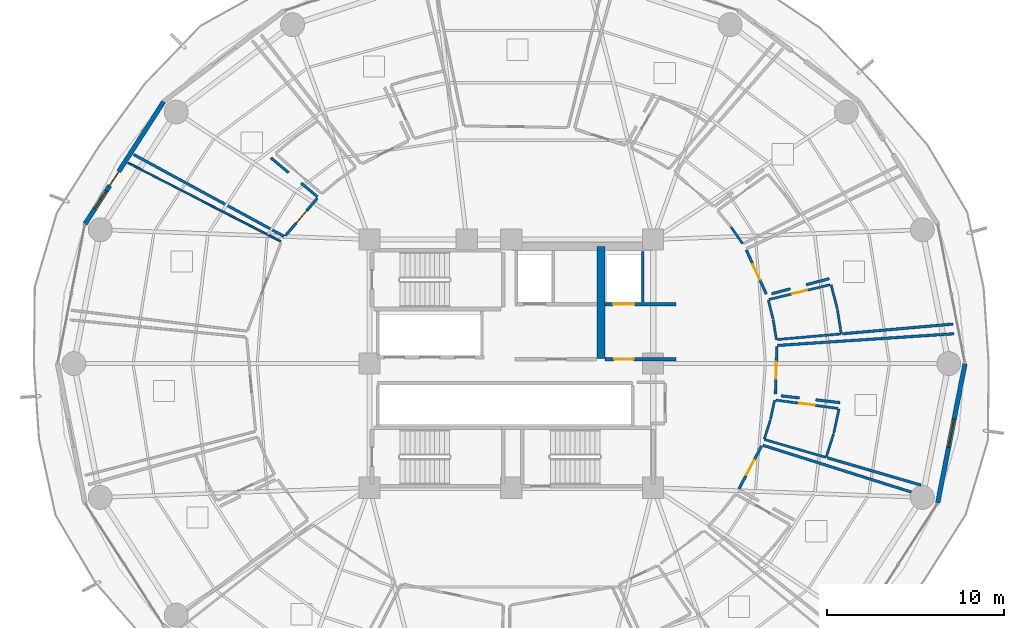
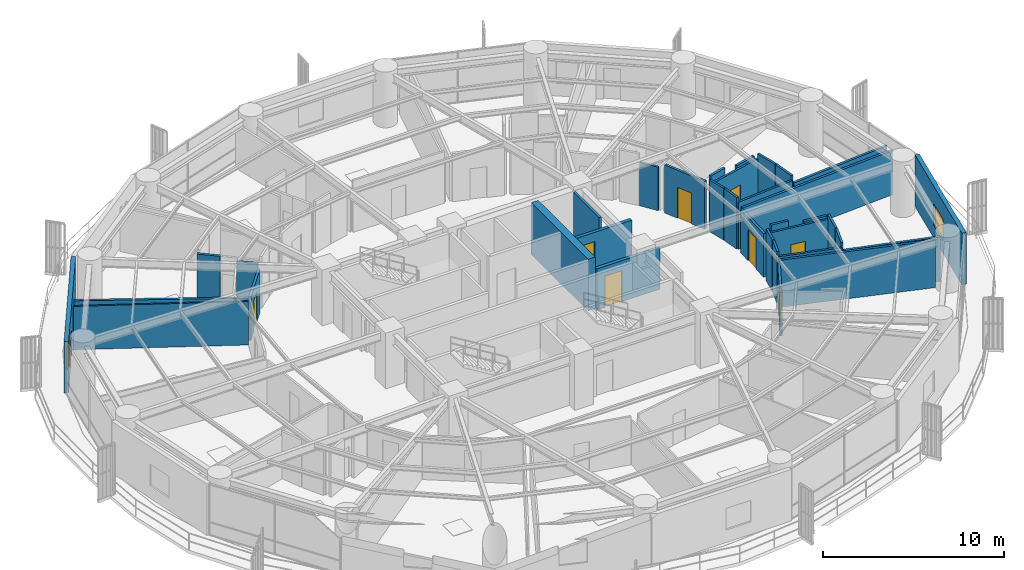
# One storey, part 30 of 36: 35 walls, 9 doors, 2 windows, 11 openings.
"""IFC4 building model written with IfcOpenShell, lengths in metres."""

from ifc_helpers import new_model, si_unit, direction, frame, frame_2d, origin, place, context, subcontext, project, spatial, rectangle, extrude, material, layer, layer_set, type_object, element, fill, save


model = new_model("IFC4")

# Units and contexts
model_context = context("Model", 3, precision=1e-05, world=origin(), true_north=direction((0.0, 1.0)))
body_context = subcontext(model_context, "Body", "Model", "MODEL_VIEW")
ifc_project = project(units=[si_unit("LENGTHUNIT", "METRE"), si_unit("AREAUNIT", "SQUARE_METRE"), si_unit("VOLUMEUNIT", "CUBIC_METRE"), si_unit("PLANEANGLEUNIT", "RADIAN"), si_unit("MASSUNIT", "GRAM", prefix="KILO")], contexts=[model_context])

# Site, building, storey
site_placement = place(None, origin())
site = spatial("IfcSite", under=ifc_project, at=site_placement, CompositionType="ELEMENT")
building_placement = place(site_placement, origin())
building = spatial("IfcBuilding", under=site, at=building_placement, Name="Kelanora Arch Commons", CompositionType="ELEMENT")
storey_placement = place(building_placement, frame((0.0, 0.0, 102.60009765625)))
storey = spatial("IfcBuildingStorey", under=building, at=storey_placement, Name="L26", CompositionType="ELEMENT", Elevation=102.60009765625)

# Wall
ifc_material_1 = material(Name="Autoclaved aerated concrete blockwork with fire plaster", Category="masonry")
ifc_layer_1 = layer(ifc_material_1, 0.14990234375)
ifc_layer_set_1 = layer_set([ifc_layer_1], Name="Autoclaved aerated concrete blockwork with fire plaster")
wall_type_1 = type_object("IfcWallType", Name="W-COMP-150", PredefinedType="PARTITIONING", material=ifc_layer_set_1)
wall_1_placement = place(storey_placement, frame((81.419921875, 61.47998046875, 0.0), z_axis=(0.0, 0.0, 1.0), x_axis=(0.0, 1.0, 0.0)))
element("IfcWall", 1, at=wall_1_placement, inside=storey, type_object=wall_type_1, Name="Firefighting Lift 2 East Shaft Wall L26", PredefinedType="PARTITIONING", context=body_context, shape_type="SweptSolid", body=[
    extrude(rectangle(XDim=2.840087890625, YDim=0.14990234375, at=frame_2d((1.419921875, 0.0))), origin(), (0.0, 0.0, 1.0), 3.47998046875),
])

# Wall, opening, door
wall_2_placement = place(storey_placement, frame((88.38720703125, 61.924560546875, 0.0), z_axis=(0.0, 0.0, 1.0), x_axis=(-0.413748987938, 0.910391001153, 0.0)))
wall_2 = element("IfcWall", 2, at=wall_2_placement, inside=storey, type_object=wall_type_1, Name="Co-Living Studio L26-01 Entry Partition", PredefinedType="PARTITIONING", context=body_context, shape_type="SweptSolid", body=[
    extrude(rectangle(XDim=2.727294921875, YDim=0.14990234375, at=frame_2d((1.36376953125, 0.0))), origin(), (0.0, 0.0, 1.0), 3.23486328125),
])
opening_1_placement = place(wall_2_placement, frame((0.888916015625, 0.0, 0.0)))
opening_1 = element("IfcOpeningElement", 3, at=opening_1_placement, cuts=wall_2, Name="Opening D-CLU1", PredefinedType="OPENING", context=body_context, shape_type="SweptSolid", body=[
    extrude(rectangle(XDim=0.949951171875, YDim=2.080078125, at=frame_2d((0.47509765625, 1.0400390625))), frame((0.0, 0.0849609375, 0.0), z_axis=(0.0, -1.0, 0.0), x_axis=(1.0, 0.0, 0.0)), (0.0, 0.0, 1.0), 0.169921875),
])
ifc_material_2 = material(Name="Solid-core acoustic timber cluster entry fire door", Category="wood")
door_type_1 = type_object("IfcDoorType", Name="D-CLU-95", OperationType="NOTDEFINED", PredefinedType="DOOR", material=ifc_material_2)
door_1_placement = place(opening_1_placement, origin())
door_1 = element("IfcDoor", 4, at=door_1_placement, inside=storey, type_object=door_type_1, Name="Co-Living Studio L26-01 Door", OperationType="SINGLE_SWING_RIGHT", OverallHeight=2.080078125, OverallWidth=0.949951171875, PredefinedType="DOOR", context=body_context, shape_type="SweptSolid", body=[
    extrude(rectangle(XDim=0.949951171875, YDim=2.080078125, at=frame_2d((0.47509765625, 1.0400390625))), frame((0.0, 0.02490234375, 0.0), z_axis=(0.0, -1.0, 0.0), x_axis=(1.0, 0.0, 0.0)), (0.0, 0.0, 1.0), 0.050048828125),
])
fill(opening_1, door_1)

wall_3_placement = place(storey_placement, frame((63.060302734375, 67.33740234375, 0.0), z_axis=(0.0, 0.0, 1.0), x_axis=(-0.647519081114, -0.762049236988, 0.0)))
wall_3 = element("IfcWall", 5, at=wall_3_placement, inside=storey, type_object=wall_type_1, Name="Co-Living Studio L26-06 Entry Partition", PredefinedType="PARTITIONING", context=body_context, shape_type="SweptSolid", body=[
    extrude(rectangle(XDim=2.794677734375, YDim=0.14990234375, at=frame_2d((1.3974609375, 0.0))), origin(), (0.0, 0.0, 1.0), 2.9248046875),
])
opening_2_placement = place(wall_3_placement, frame((0.922119140625, 0.0, 0.0)))
opening_2 = element("IfcOpeningElement", 6, at=opening_2_placement, cuts=wall_3, Name="Opening D-CLU1", PredefinedType="OPENING", context=body_context, shape_type="SweptSolid", body=[
    extrude(rectangle(XDim=0.949951171875, YDim=2.080078125, at=frame_2d((0.47509765625, 1.0400390625))), frame((0.0, 0.0849609375, 0.0), z_axis=(0.0, -1.0, 0.0), x_axis=(1.0, 0.0, 0.0)), (0.0, 0.0, 1.0), 0.169921875),
])
door_2_placement = place(opening_2_placement, origin())
door_2 = element("IfcDoor", 7, at=door_2_placement, inside=storey, type_object=door_type_1, Name="Co-Living Studio L26-06 Door", OperationType="SINGLE_SWING_LEFT", OverallHeight=2.080078125, OverallWidth=0.949951171875, PredefinedType="DOOR", context=body_context, shape_type="SweptSolid", body=[
    extrude(rectangle(XDim=0.949951171875, YDim=2.080078125, at=frame_2d((0.47509765625, 1.0400390625))), frame((0.0, 0.02490234375, 0.0), z_axis=(0.0, -1.0, 0.0), x_axis=(1.0, 0.0, 0.0)), (0.0, 0.0, 1.0), 0.050048828125),
])
fill(opening_2, door_2)

wall_4_placement = place(storey_placement, frame((86.842041015625, 50.929931640625, 0.0), z_axis=(0.0, 0.0, 1.0), x_axis=(0.467240653506, 0.884130178034, 0.0)))
wall_4 = element("IfcWall", 8, at=wall_4_placement, inside=storey, type_object=wall_type_1, Name="Co-Living Studio L26-14 Entry Partition", PredefinedType="PARTITIONING", context=body_context, shape_type="SweptSolid", body=[
    extrude(rectangle(XDim=2.739501953125, YDim=0.14990234375, at=frame_2d((1.36962890625, 0.0))), origin(), (0.0, 0.0, 1.0), 2.9248046875),
])
opening_3_placement = place(wall_4_placement, frame((0.89501953125, 0.0, 0.0)))
opening_3 = element("IfcOpeningElement", 9, at=opening_3_placement, cuts=wall_4, Name="Opening D-CLU1", PredefinedType="OPENING", context=body_context, shape_type="SweptSolid", body=[
    extrude(rectangle(XDim=0.949951171875, YDim=2.080078125, at=frame_2d((0.47509765625, 1.0400390625))), frame((0.0, 0.0849609375, 0.0), z_axis=(0.0, -1.0, 0.0), x_axis=(1.0, 0.0, 0.0)), (0.0, 0.0, 1.0), 0.169921875),
])
door_3_placement = place(opening_3_placement, origin())
door_3 = element("IfcDoor", 10, at=door_3_placement, inside=storey, type_object=door_type_1, Name="Co-Living Studio L26-14 Door", OperationType="SINGLE_SWING_RIGHT", OverallHeight=2.080078125, OverallWidth=0.949951171875, PredefinedType="DOOR", context=body_context, shape_type="SweptSolid", body=[
    extrude(rectangle(XDim=0.949951171875, YDim=2.080078125, at=frame_2d((0.47509765625, 1.0400390625))), frame((0.0, 0.02490234375, 0.0), z_axis=(0.0, -1.0, 0.0), x_axis=(1.0, 0.0, 0.0)), (0.0, 0.0, 1.0), 0.050048828125),
])
fill(opening_3, door_3)

wall_5_placement = place(storey_placement, frame((88.90283203125, 56.280029296875, 0.0), z_axis=(0.0, 0.0, 1.0), x_axis=(0.031027384649, 0.999518534797, 0.0)))
wall_5 = element("IfcWall", 11, at=wall_5_placement, inside=storey, type_object=wall_type_1, Name="Co-Living Studio L26-15 Entry Partition", PredefinedType="PARTITIONING", context=body_context, shape_type="SweptSolid", body=[
    extrude(rectangle(XDim=2.68310546875, YDim=0.14990234375, at=frame_2d((1.341552734375, 0.0))), origin(), (0.0, 0.0, 1.0), 2.9248046875),
])
opening_4_placement = place(wall_5_placement, frame((0.866943359375, 0.0, 0.0)))
opening_4 = element("IfcOpeningElement", 12, at=opening_4_placement, cuts=wall_5, Name="Opening D-CLU1", PredefinedType="OPENING", context=body_context, shape_type="SweptSolid", body=[
    extrude(rectangle(XDim=0.949951171875, YDim=2.080078125, at=frame_2d((0.47509765625, 1.0400390625))), frame((0.0, 0.0849609375, 0.0), z_axis=(0.0, -1.0, 0.0), x_axis=(1.0, 0.0, 0.0)), (0.0, 0.0, 1.0), 0.169921875),
])
door_4_placement = place(opening_4_placement, origin())
door_4 = element("IfcDoor", 13, at=door_4_placement, inside=storey, type_object=door_type_1, Name="Co-Living Studio L26-15 Door", OperationType="SINGLE_SWING_RIGHT", OverallHeight=2.080078125, OverallWidth=0.949951171875, PredefinedType="DOOR", context=body_context, shape_type="SweptSolid", body=[
    extrude(rectangle(XDim=0.949951171875, YDim=2.080078125, at=frame_2d((0.47509765625, 1.0400390625))), frame((0.0, 0.02490234375, 0.0), z_axis=(0.0, -1.0, 0.0), x_axis=(1.0, 0.0, 0.0)), (0.0, 0.0, 1.0), 0.050048828125),
])
fill(opening_4, door_4)

# Walls
wall_6_placement = place(storey_placement, frame((98.916259765625, 60.2294921875, 0.0), z_axis=(0.0, 0.0, 1.0), x_axis=(-0.996158887303, -0.08756409793, 0.0)))
element("IfcWall", 14, at=wall_6_placement, inside=storey, type_object=wall_type_1, Name="Co-Living Studio L26-01 Enclosure Partition 5", PredefinedType="PARTITIONING", context=body_context, shape_type="SweptSolid", body=[
    extrude(rectangle(XDim=6.245361328125, YDim=0.14990234375, at=frame_2d((3.12255859375, 0.0))), origin(), (0.0, 0.0, 1.0), 2.974853515625),
])
wall_7_placement = place(storey_placement, frame((91.938232421875, 62.788818359375, 0.0), z_axis=(0.0, 0.0, 1.0), x_axis=(-0.967708049996, -0.252073659816, 0.0)))
element("IfcWall", 15, at=wall_7_placement, inside=storey, type_object=wall_type_1, Name="Co-Living Studio L26-01 Enclosure Partition 7", PredefinedType="PARTITIONING", context=body_context, shape_type="SweptSolid", body=[
    extrude(rectangle(XDim=1.34130859375, YDim=0.14990234375, at=frame_2d((0.670654296875, 0.0))), origin(), (0.0, 0.0, 1.0), 3.1748046875),
])
wall_8_placement = place(storey_placement, frame((89.74951171875, 62.218505859375, 0.0), z_axis=(0.0, 0.0, 1.0), x_axis=(-0.96768541666, -0.252160532962, 0.0)))
element("IfcWall", 16, at=wall_8_placement, inside=storey, type_object=wall_type_1, Name="Co-Living Studio L26-01 Enclosure Partition 7", PredefinedType="PARTITIONING", context=body_context, shape_type="SweptSolid", body=[
    extrude(rectangle(XDim=1.102783203125, YDim=0.14990234375, at=frame_2d((0.55126953125, 0.0))), origin(), (0.0, 0.0, 1.0), 3.47998046875),
])
wall_9_placement = place(storey_placement, frame((61.177001953125, 65.18115234375, 0.0), z_axis=(0.0, 0.0, 1.0), x_axis=(-0.878445909545, 0.477841798092, 0.0)))
element("IfcWall", 17, at=wall_9_placement, inside=storey, type_object=wall_type_1, Name="Co-Living Studio L26-06 Enclosure Partition 2", PredefinedType="PARTITIONING", context=body_context, shape_type="SweptSolid", body=[
    extrude(rectangle(XDim=9.6533203125, YDim=0.14990234375, at=frame_2d((4.82666015625, 0.0))), origin(), (0.0, 0.0, 1.0), 2.9248046875),
])
wall_10_placement = place(storey_placement, frame((60.4326171875, 69.611328125, 0.0), z_axis=(0.0, 0.0, 1.0), x_axis=(0.767335111176, -0.641246307714, 0.0)))
element("IfcWall", 18, at=wall_10_placement, inside=storey, type_object=wall_type_1, Name="Co-Living Studio L26-06 Enclosure Partition 7", PredefinedType="PARTITIONING", context=body_context, shape_type="SweptSolid", body=[
    extrude(rectangle(XDim=1.310791015625, YDim=0.14990234375, at=frame_2d((0.6552734375, 0.0))), origin(), (0.0, 0.0, 1.0), 3.47998046875),
])
wall_11_placement = place(storey_placement, frame((62.14453125, 68.1806640625, 0.0), z_axis=(0.0, 0.0, 1.0), x_axis=(0.767356229846, -0.641221035616, 0.0)))
element("IfcWall", 19, at=wall_11_placement, inside=storey, type_object=wall_type_1, Name="Co-Living Studio L26-06 Enclosure Partition 7", PredefinedType="PARTITIONING", context=body_context, shape_type="SweptSolid", body=[
    extrude(rectangle(XDim=1.203857421875, YDim=0.14990234375, at=frame_2d((0.60205078125, 0.0))), origin(), (0.0, 0.0, 1.0), 3.23486328125),
])
wall_12_placement = place(storey_placement, frame((88.18798828125, 53.39306640625, 0.0), z_axis=(0.0, 0.0, 1.0), x_axis=(0.95372586497, -0.300677525743, 0.0)))
element("IfcWall", 20, at=wall_12_placement, inside=storey, type_object=wall_type_1, Name="Co-Living Studio L26-14 Enclosure Partition 2", PredefinedType="PARTITIONING", context=body_context, shape_type="SweptSolid", body=[
    extrude(rectangle(XDim=8.77978515625, YDim=0.14990234375, at=frame_2d((4.389892578125, 0.0))), origin(), (0.0, 0.0, 1.0), 3.1748046875),
])
wall_13_placement = place(storey_placement, frame((89.02783203125, 59.024658203125, 0.0), z_axis=(0.0, 0.0, 1.0), x_axis=(0.997812074352, 0.066114024819, 0.0)))
element("IfcWall", 21, at=wall_13_placement, inside=storey, type_object=wall_type_1, Name="Co-Living Studio L26-15 Enclosure Partition 2", PredefinedType="PARTITIONING", context=body_context, shape_type="SweptSolid", body=[
    extrude(rectangle(XDim=9.962890625, YDim=0.14990234375, at=frame_2d((4.9814453125, 0.0))), origin(), (0.0, 0.0, 1.0), 2.974853515625),
])
wall_14_placement = place(storey_placement, frame((97.114990234375, 51.14404296875, 0.0), z_axis=(0.0, 0.0, 1.0), x_axis=(-0.960104911934, 0.279640050924, 0.0)))
element("IfcWall", 22, at=wall_14_placement, inside=storey, type_object=wall_type_1, Name="Co-Living Studio L26-15 Enclosure Partition 5", PredefinedType="PARTITIONING", context=body_context, shape_type="SweptSolid", body=[
    extrude(rectangle(XDim=5.495849609375, YDim=0.14990234375, at=frame_2d((2.748046875, 0.0))), origin(), (0.0, 0.0, 1.0), 2.974853515625),
])
wall_15_placement = place(storey_placement, frame((92.54736328125, 55.796630859375, 0.0), z_axis=(0.0, 0.0, 1.0), x_axis=(-0.993324337397, 0.115354933722, 0.0)))
element("IfcWall", 23, at=wall_15_placement, inside=storey, type_object=wall_type_1, Name="Co-Living Studio L26-15 Enclosure Partition 7", PredefinedType="PARTITIONING", context=body_context, shape_type="SweptSolid", body=[
    extrude(rectangle(XDim=1.382080078125, YDim=0.14990234375, at=frame_2d((0.69091796875, 0.0))), origin(), (0.0, 0.0, 1.0), 3.1748046875),
])
wall_16_placement = place(storey_placement, frame((90.260498046875, 56.06201171875, 0.0), z_axis=(0.0, 0.0, 1.0), x_axis=(-0.993318037321, 0.115409170924, 0.0)))
element("IfcWall", 24, at=wall_16_placement, inside=storey, type_object=wall_type_1, Name="Co-Living Studio L26-15 Enclosure Partition 7", PredefinedType="PARTITIONING", context=body_context, shape_type="SweptSolid", body=[
    extrude(rectangle(XDim=1.03857421875, YDim=0.14990234375, at=frame_2d((0.519287109375, 0.0))), origin(), (0.0, 0.0, 1.0), 3.47998046875),
])
ifc_material_3 = material(Name="Concrete C60/75", Category="concrete")
ifc_layer_2 = layer(ifc_material_3, 0.449951171875)
ifc_layer_set_2 = layer_set([ifc_layer_2], Name="Concrete C60/75")
wall_type_2 = type_object("IfcWallType", Name="W-CORE-450", PredefinedType="SHEAR", material=ifc_layer_set_2)
wall_17_placement = place(storey_placement, frame((79.050048828125, 58.300048828125, 0.0), z_axis=(0.0, 0.0, 1.0), x_axis=(0.0, 1.0, 0.0)))
element("IfcWall", 25, at=wall_17_placement, inside=storey, type_object=wall_type_2, Name="Core Shear Spine L26-CE-N", PredefinedType="SHEAR", context=body_context, shape_type="SweptSolid", body=[
    extrude(rectangle(XDim=6.300048828125, YDim=0.449951171875, at=frame_2d((3.14990234375, 0.0))), origin(), (0.0, 0.0, 1.0), 3.489990234375),
])

# Wall, openings, door, window
ifc_material_4 = material(Name="Precast concrete C40/50 with terracotta rainscreen", Category="masonry")
ifc_layer_3 = layer(ifc_material_4, 0.260009765625)
ifc_layer_set_3 = layer_set([ifc_layer_3], Name="Precast concrete C40/50 with terracotta rainscreen")
wall_type_3 = type_object("IfcWallType", Name="W-EXT-TC", PredefinedType="SOLIDWALL", material=ifc_layer_set_3)
wall_18_placement = place(storey_placement, frame((54.381103515625, 72.771484375, 0.0), z_axis=(0.0, 0.0, 1.0), x_axis=(-0.540620528459, -0.841266571432, 0.0)))
wall_18 = element("IfcWall", 26, at=wall_18_placement, inside=storey, type_object=wall_type_3, Name="Terracotta Exterior Wall L26-B07", PredefinedType="SOLIDWALL", context=body_context, shape_type="SweptSolid", body=[
    extrude(rectangle(XDim=8.19287109375, YDim=0.260009765625, at=frame_2d((4.096435546875, 0.0))), origin(), (0.0, 0.0, 1.0), 3.474853515625),
])
opening_5_placement = place(wall_18_placement, frame((4.6708984375, 0.0, 0.0)))
opening_5 = element("IfcOpeningElement", 27, at=opening_5_placement, cuts=wall_18, Name="Opening DB-01", PredefinedType="OPENING", context=body_context, shape_type="SweptSolid", body=[
    extrude(rectangle(XDim=0.949951171875, YDim=2.10009765625, at=frame_2d((0.47509765625, 1.050048828125))), frame((0.0, 0.14013671875, 0.0), z_axis=(0.0, -1.0, 0.0), x_axis=(1.0, 0.0, 0.0)), (0.0, 0.0, 1.0), 0.280029296875),
])
opening_6_placement = place(wall_18_placement, frame((5.970947265625, 0.0, 0.85009765625)))
opening_6 = element("IfcOpeningElement", 28, at=opening_6_placement, cuts=wall_18, Name="Opening WN-02", PredefinedType="OPENING", context=body_context, shape_type="SweptSolid", body=[
    extrude(rectangle(XDim=1.199951171875, YDim=1.449951171875, at=frame_2d((0.60009765625, 0.72509765625))), frame((0.0, 0.14013671875, 0.0), z_axis=(0.0, -1.0, 0.0), x_axis=(1.0, 0.0, 0.0)), (0.0, 0.0, 1.0), 0.280029296875),
])
ifc_material_5 = material(Name="Terracotta-aluminium thermally broken glazed balcony door", Category="masonry")
door_type_2 = type_object("IfcDoorType", Name="D-BAL-10", OperationType="NOTDEFINED", PredefinedType="DOOR", material=ifc_material_5)
door_5_placement = place(opening_5_placement, frame((0.949951171875, 0.0, 0.0), z_axis=(0.0, 0.0, 1.0), x_axis=(-1.0, 0.0, 0.0)))
door_5 = element("IfcDoor", 29, at=door_5_placement, inside=storey, type_object=door_type_2, Name="Wave Balcony Door L26-B07", OperationType="SINGLE_SWING_RIGHT", OverallHeight=2.10009765625, OverallWidth=0.949951171875, PredefinedType="DOOR", context=body_context, shape_type="SweptSolid", body=[
    extrude(rectangle(XDim=0.949951171875, YDim=2.10009765625, at=frame_2d((0.47509765625, 1.050048828125))), frame((0.0, 0.02490234375, 0.0), z_axis=(0.0, -1.0, 0.0), x_axis=(1.0, 0.0, 0.0)), (0.0, 0.0, 1.0), 0.050048828125),
])
fill(opening_5, door_5)
ifc_material_6 = material(Name="Terracotta-anodised aluminium frame with operable awning sash", Category="masonry")
window_type_1 = type_object("IfcWindowType", Name="WIN-CL-12", PartitioningType="SINGLE_PANEL", PredefinedType="WINDOW", material=ifc_material_6)
window_1_placement = place(opening_6_placement, origin())
window_1 = element("IfcWindow", 30, at=window_1_placement, inside=storey, type_object=window_type_1, Name="Co-Living Operable Window L26-B07", OverallHeight=1.449951171875, OverallWidth=1.199951171875, PartitioningType="SINGLE_PANEL", PredefinedType="WINDOW", context=body_context, shape_type="SweptSolid", body=[
    extrude(rectangle(XDim=1.199951171875, YDim=1.449951171875, at=frame_2d((0.60009765625, 0.72509765625))), frame((0.0, 0.030029296875, 0.0), z_axis=(0.0, -1.0, 0.0), x_axis=(1.0, 0.0, 0.0)), (0.0, 0.0, 1.0), 0.06005859375),
])
fill(opening_6, window_1)

# Wall, opening, window
wall_19_placement = place(storey_placement, frame((98.05908203125, 50.148193359375, 0.0), z_axis=(0.0, 0.0, 1.0), x_axis=(0.192581843632, 0.981280914674, 0.0)))
wall_19 = element("IfcWall", 31, at=wall_19_placement, inside=storey, type_object=wall_type_3, Name="Terracotta Exterior Wall L26-B17", PredefinedType="SOLIDWALL", context=body_context, shape_type="SweptSolid", body=[
    extrude(rectangle(XDim=7.986572265625, YDim=0.260009765625, at=frame_2d((3.9931640625, 0.0))), origin(), (0.0, 0.0, 1.0), 3.474853515625),
])
opening_7_placement = place(wall_19_placement, frame((3.193115234375, 0.0, 0.85009765625)))
opening_7 = element("IfcOpeningElement", 32, at=opening_7_placement, cuts=wall_19, Name="Opening WN-01", PredefinedType="OPENING", context=body_context, shape_type="SweptSolid", body=[
    extrude(rectangle(XDim=1.60009765625, YDim=1.449951171875, at=frame_2d((0.800048828125, 0.72509765625))), frame((0.0, 0.14013671875, 0.0), z_axis=(0.0, -1.0, 0.0), x_axis=(1.0, 0.0, 0.0)), (0.0, 0.0, 1.0), 0.280029296875),
])
ifc_material_7 = material(Name="Terracotta-anodised aluminium frame with operable low-E glazing", Category="masonry")
window_type_2 = type_object("IfcWindowType", Name="WIN-CL-18", PartitioningType="DOUBLE_PANEL_VERTICAL", PredefinedType="WINDOW", material=ifc_material_7)
window_2_placement = place(opening_7_placement, origin())
window_2 = element("IfcWindow", 33, at=window_2_placement, inside=storey, type_object=window_type_2, Name="Co-Living Operable Window L26-B17", OverallHeight=1.449951171875, OverallWidth=1.60009765625, PartitioningType="SINGLE_PANEL", PredefinedType="WINDOW", context=body_context, shape_type="SweptSolid", body=[
    extrude(rectangle(XDim=1.60009765625, YDim=1.449951171875, at=frame_2d((0.800048828125, 0.72509765625))), frame((0.0, 0.030029296875, 0.0), z_axis=(0.0, -1.0, 0.0), x_axis=(1.0, 0.0, 0.0)), (0.0, 0.0, 1.0), 0.06005859375),
])
fill(opening_7, window_2)

# Wall, opening, door
ifc_material_8 = material(Name="Concrete C40/50", Category="concrete")
ifc_layer_4 = layer(ifc_material_8, 0.199951171875)
ifc_layer_set_4 = layer_set([ifc_layer_4], Name="Concrete C40/50")
wall_type_4 = type_object("IfcWallType", Name="W-FFL-200", PredefinedType="SOLIDWALL", material=ifc_layer_set_4)
wall_20_placement = place(storey_placement, frame((79.300048828125, 61.35009765625, 0.0), z_axis=(0.0, 0.0, 1.0), x_axis=(1.0, 0.0, 0.0)))
wall_20 = element("IfcWall", 34, at=wall_20_placement, inside=storey, type_object=wall_type_4, Name="Firefighting Lift 2 Shaft Front L26", PredefinedType="SOLIDWALL", context=body_context, shape_type="SweptSolid", body=[
    extrude(rectangle(XDim=4.0, YDim=0.199951171875, at=frame_2d((2.0, 0.0))), origin(), (0.0, 0.0, 1.0), 2.77490234375),
])
opening_8_placement = place(wall_20_placement, frame((0.449951171875, 0.0, 0.0)))
opening_8 = element("IfcOpeningElement", 35, at=opening_8_placement, cuts=wall_20, Name="Opening LD-FF", PredefinedType="OPENING", context=body_context, shape_type="SweptSolid", body=[
    extrude(rectangle(XDim=1.199951171875, YDim=2.14990234375, at=frame_2d((0.60009765625, 1.074951171875))), frame((0.0, 0.10986328125, 0.0), z_axis=(0.0, -1.0, 0.0), x_axis=(1.0, 0.0, 0.0)), (0.0, 0.0, 1.0), 0.219970703125),
])
ifc_material_9 = material(Name="Fire-rated firefighters lift sliding landing door")
door_type_3 = type_object("IfcDoorType", Name="D-LIFT-FF", OperationType="NOTDEFINED", PredefinedType="DOOR", material=ifc_material_9)
door_6_placement = place(opening_8_placement, origin())
door_6 = element("IfcDoor", 36, at=door_6_placement, inside=storey, type_object=door_type_3, Name="Firefighting Lift LF-FF2 Landing Door L26", OperationType="DOUBLE_DOOR_SLIDING", OverallHeight=2.14990234375, OverallWidth=1.199951171875, PredefinedType="DOOR", context=body_context, shape_type="SweptSolid", body=[
    extrude(rectangle(XDim=1.199951171875, YDim=2.14990234375, at=frame_2d((0.60009765625, 1.074951171875))), frame((0.0, 0.02490234375, 0.0), z_axis=(0.0, -1.0, 0.0), x_axis=(1.0, 0.0, 0.0)), (0.0, 0.0, 1.0), 0.050048828125),
])
fill(opening_8, door_6)

wall_21_placement = place(storey_placement, frame((79.300048828125, 58.25, 0.0), z_axis=(0.0, 0.0, 1.0), x_axis=(1.0, 0.0, 0.0)))
wall_21 = element("IfcWall", 37, at=wall_21_placement, inside=storey, type_object=wall_type_4, Name="Firefighting Lobby 2 Enclosure Wall L26", PredefinedType="SOLIDWALL", context=body_context, shape_type="SweptSolid", body=[
    extrude(rectangle(XDim=4.0, YDim=0.199951171875, at=frame_2d((2.0, 0.0))), origin(), (0.0, 0.0, 1.0), 2.77490234375),
])
opening_9_placement = place(wall_21_placement, frame((0.5, 0.0, 0.0)))
opening_9 = element("IfcOpeningElement", 38, at=opening_9_placement, cuts=wall_21, Name="Opening D-FFL1", PredefinedType="OPENING", context=body_context, shape_type="SweptSolid", body=[
    extrude(rectangle(XDim=1.10009765625, YDim=2.10009765625, at=frame_2d((0.550048828125, 1.050048828125))), frame((0.0, 0.10986328125, 0.0), z_axis=(0.0, -1.0, 0.0), x_axis=(1.0, 0.0, 0.0)), (0.0, 0.0, 1.0), 0.219970703125),
])
ifc_material_10 = material(Name="Smoke-sealed firefighting lobby fire door")
door_type_4 = type_object("IfcDoorType", Name="D-FFL-110", OperationType="NOTDEFINED", PredefinedType="DOOR", material=ifc_material_10)
door_7_placement = place(opening_9_placement, frame((1.10009765625, 0.0, 0.0), z_axis=(0.0, 0.0, 1.0), x_axis=(-1.0, 0.0, 0.0)))
door_7 = element("IfcDoor", 39, at=door_7_placement, inside=storey, type_object=door_type_4, Name="Firefighting Lobby 2 Door L26", OperationType="SINGLE_SWING_RIGHT", OverallHeight=2.10009765625, OverallWidth=1.10009765625, PredefinedType="DOOR", context=body_context, shape_type="SweptSolid", body=[
    extrude(rectangle(XDim=1.10009765625, YDim=2.10009765625, at=frame_2d((0.550048828125, 1.050048828125))), frame((0.0, 0.02490234375, 0.0), z_axis=(0.0, -1.0, 0.0), x_axis=(1.0, 0.0, 0.0)), (0.0, 0.0, 1.0), 0.050048828125),
])
fill(opening_9, door_7)

# Wall
ifc_material_11 = material(Name="Lightweight fire-rated acoustic stud partition")
ifc_layer_5 = layer(ifc_material_11, 0.10009765625)
ifc_layer_set_5 = layer_set([ifc_layer_5], Name="Lightweight fire-rated acoustic stud partition")
wall_type_5 = type_object("IfcWallType", Name="W-PART-100", PredefinedType="PARTITIONING", material=ifc_layer_set_5)
wall_22_placement = place(storey_placement, frame((52.381591796875, 69.32373046875, 0.0), z_axis=(0.0, 0.0, 1.0), x_axis=(0.889175506344, -0.457566300025, 0.0)))
element("IfcWall", 40, at=wall_22_placement, inside=storey, type_object=wall_type_5, Name="Social Sky Lounge L26-07 Enclosure Partition 4", PredefinedType="PARTITIONING", context=body_context, shape_type="SweptSolid", body=[
    extrude(rectangle(XDim=9.67822265625, YDim=0.10009765625, at=frame_2d((4.839111328125, 0.0))), origin(), (0.0, 0.0, 1.0), 2.9248046875),
])

# Wall, opening, door
ifc_material_12 = material(Name="Moisture-resistant fire-rated cement-board plumbing wall")
ifc_layer_6 = layer(ifc_material_12, 0.1298828125)
ifc_layer_set_6 = layer_set([ifc_layer_6], Name="Moisture-resistant fire-rated cement-board plumbing wall")
wall_type_6 = type_object("IfcWallType", Name="W-WET-120", PredefinedType="PLUMBINGWALL", material=ifc_layer_set_6)
wall_23_placement = place(storey_placement, frame((88.55224609375, 61.62109375, 0.0), z_axis=(0.0, 0.0, 1.0), x_axis=(0.972155080707, 0.234338428465, 0.0)))
wall_23 = element("IfcWall", 41, at=wall_23_placement, inside=storey, type_object=wall_type_6, Name="En-Suite Shower WC L26-01 Entry Partition", PredefinedType="PLUMBINGWALL", context=body_context, shape_type="SweptSolid", body=[
    extrude(rectangle(XDim=3.528564453125, YDim=0.1298828125, at=frame_2d((1.76416015625, 0.0))), origin(), (0.0, 0.0, 1.0), 3.1748046875),
])
opening_10_placement = place(wall_23_placement, frame((1.333984375, 0.0, 0.0)))
opening_10 = element("IfcOpeningElement", 42, at=opening_10_placement, cuts=wall_23, Name="Opening D-BT1", PredefinedType="OPENING", context=body_context, shape_type="SweptSolid", body=[
    extrude(rectangle(XDim=0.860107421875, YDim=2.050048828125, at=frame_2d((0.43017578125, 1.02490234375))), frame((0.0, 0.074951171875, 0.0), z_axis=(0.0, -1.0, 0.0), x_axis=(1.0, 0.0, 0.0)), (0.0, 0.0, 1.0), 0.14990234375),
])
ifc_material_13 = material(Name="Moisture-sealed fire-rated accessible bathroom door")
door_type_5 = type_object("IfcDoorType", Name="D-BATH-85", OperationType="NOTDEFINED", PredefinedType="DOOR", material=ifc_material_13)
door_8_placement = place(opening_10_placement, origin())
door_8 = element("IfcDoor", 43, at=door_8_placement, inside=storey, type_object=door_type_5, Name="En-Suite Shower WC L26-01 Door", OperationType="SINGLE_SWING_LEFT", OverallHeight=2.050048828125, OverallWidth=0.860107421875, PredefinedType="DOOR", context=body_context, shape_type="SweptSolid", body=[
    extrude(rectangle(XDim=0.860107421875, YDim=2.050048828125, at=frame_2d((0.43017578125, 1.02490234375))), frame((0.0, 0.02490234375, 0.0), z_axis=(0.0, -1.0, 0.0), x_axis=(1.0, 0.0, 0.0)), (0.0, 0.0, 1.0), 0.050048828125),
])
fill(opening_10, door_8)

wall_24_placement = place(storey_placement, frame((88.91845703125, 55.94091796875, 0.0), z_axis=(0.0, 0.0, 1.0), x_axis=(0.991153836697, -0.132718016867, 0.0)))
wall_24 = element("IfcWall", 44, at=wall_24_placement, inside=storey, type_object=wall_type_6, Name="En-Suite Shower WC L26-15 Entry Partition", PredefinedType="PLUMBINGWALL", context=body_context, shape_type="SweptSolid", body=[
    extrude(rectangle(XDim=3.548583984375, YDim=0.1298828125, at=frame_2d((1.7744140625, 0.0))), origin(), (0.0, 0.0, 1.0), 3.1748046875),
])
opening_11_placement = place(wall_24_placement, frame((1.343994140625, 0.0, 0.0)))
opening_11 = element("IfcOpeningElement", 45, at=opening_11_placement, cuts=wall_24, Name="Opening D-BT1", PredefinedType="OPENING", context=body_context, shape_type="SweptSolid", body=[
    extrude(rectangle(XDim=0.860107421875, YDim=2.050048828125, at=frame_2d((0.43017578125, 1.02490234375))), frame((0.0, 0.074951171875, 0.0), z_axis=(0.0, -1.0, 0.0), x_axis=(1.0, 0.0, 0.0)), (0.0, 0.0, 1.0), 0.14990234375),
])
door_9_placement = place(opening_11_placement, origin())
door_9 = element("IfcDoor", 46, at=door_9_placement, inside=storey, type_object=door_type_5, Name="En-Suite Shower WC L26-15 Door", OperationType="SINGLE_SWING_LEFT", OverallHeight=2.050048828125, OverallWidth=0.860107421875, PredefinedType="DOOR", context=body_context, shape_type="SweptSolid", body=[
    extrude(rectangle(XDim=0.860107421875, YDim=2.050048828125, at=frame_2d((0.43017578125, 1.02490234375))), frame((0.0, 0.02490234375, 0.0), z_axis=(0.0, -1.0, 0.0), x_axis=(1.0, 0.0, 0.0)), (0.0, 0.0, 1.0), 0.050048828125),
])
fill(opening_11, door_9)

# Walls
wall_25_placement = place(storey_placement, frame((88.952880859375, 59.373779296875, 0.0), z_axis=(0.0, 0.0, 1.0), x_axis=(-0.15586083115, 0.987779024536, 0.0)))
element("IfcWall", 47, at=wall_25_placement, inside=storey, type_object=wall_type_6, Name="En-Suite Shower WC L26-01 Enclosure Partition 1", PredefinedType="PLUMBINGWALL", context=body_context, shape_type="SweptSolid", body=[
    extrude(rectangle(XDim=1.109130859375, YDim=0.1298828125, at=frame_2d((0.5546875, 0.0))), origin(), (0.0, 0.0, 1.0), 3.47998046875),
])
wall_26_placement = place(storey_placement, frame((88.772216796875, 60.50830078125, 0.0), z_axis=(0.0, 0.0, 1.0), x_axis=(-0.245578364709, 0.96937674141, 0.0)))
element("IfcWall", 48, at=wall_26_placement, inside=storey, type_object=wall_type_6, Name="En-Suite Shower WC L26-01 Enclosure Partition 2", PredefinedType="PLUMBINGWALL", context=body_context, shape_type="SweptSolid", body=[
    extrude(rectangle(XDim=1.113525390625, YDim=0.1298828125, at=frame_2d((0.556640625, 0.0))), origin(), (0.0, 0.0, 1.0), 3.47998046875),
])
wall_27_placement = place(storey_placement, frame((92.0458984375, 62.442626953125, 0.0), z_axis=(0.0, 0.0, 1.0), x_axis=(0.246925879087, -0.969034369998, 0.0)))
element("IfcWall", 49, at=wall_27_placement, inside=storey, type_object=wall_type_6, Name="En-Suite Shower WC L26-01 Enclosure Partition 4", PredefinedType="PLUMBINGWALL", context=body_context, shape_type="SweptSolid", body=[
    extrude(rectangle(XDim=1.38623046875, YDim=0.1298828125, at=frame_2d((0.693115234375, 0.0))), origin(), (0.0, 0.0, 1.0), 3.47998046875),
])
wall_28_placement = place(storey_placement, frame((92.39599609375, 61.060302734375, 0.0), z_axis=(0.0, 0.0, 1.0), x_axis=(0.156116740912, -0.987738610771, 0.0)))
element("IfcWall", 50, at=wall_28_placement, inside=storey, type_object=wall_type_6, Name="En-Suite Shower WC L26-01 Enclosure Partition 5", PredefinedType="PLUMBINGWALL", context=body_context, shape_type="SweptSolid", body=[
    extrude(rectangle(XDim=1.38232421875, YDim=0.1298828125, at=frame_2d((0.691162109375, 0.0))), origin(), (0.0, 0.0, 1.0), 3.47998046875),
])
wall_29_placement = place(storey_placement, frame((92.59521484375, 59.67333984375, 0.0), z_axis=(0.0, 0.0, 1.0), x_axis=(-0.996171439416, -0.087421183317, 0.0)))
element("IfcWall", 51, at=wall_29_placement, inside=storey, type_object=wall_type_6, Name="En-Suite Shower WC L26-01 Enclosure Partition 6", PredefinedType="PLUMBINGWALL", context=body_context, shape_type="SweptSolid", body=[
    extrude(rectangle(XDim=3.63330078125, YDim=0.1298828125, at=frame_2d((1.816650390625, 0.0))), origin(), (0.0, 0.0, 1.0), 3.1748046875),
])
wall_30_placement = place(storey_placement, frame((87.044677734375, 64.769287109375, 0.0), z_axis=(0.0, 0.0, 1.0), x_axis=(-0.569710294604, 0.821845593906, 0.0)))
element("IfcWall", 52, at=wall_30_placement, inside=storey, type_object=wall_type_6, Name="En-Suite Shower WC L26-02 Enclosure Partition 1", PredefinedType="PLUMBINGWALL", context=body_context, shape_type="SweptSolid", body=[
    extrude(rectangle(XDim=1.1416015625, YDim=0.1298828125, at=frame_2d((0.57080078125, 0.0))), origin(), (0.0, 0.0, 1.0), 2.9248046875),
])
wall_31_placement = place(storey_placement, frame((88.27587890625, 53.739013671875, 0.0), z_axis=(0.0, 0.0, 1.0), x_axis=(0.299445496357, 0.954113407678, 0.0)))
element("IfcWall", 53, at=wall_31_placement, inside=storey, type_object=wall_type_6, Name="En-Suite Shower WC L26-15 Enclosure Partition 1", PredefinedType="PLUMBINGWALL", context=body_context, shape_type="SweptSolid", body=[
    extrude(rectangle(XDim=1.1162109375, YDim=0.1298828125, at=frame_2d((0.55810546875, 0.0))), origin(), (0.0, 0.0, 1.0), 3.47998046875),
])
wall_32_placement = place(storey_placement, frame((88.6201171875, 54.842529296875, 0.0), z_axis=(0.0, 0.0, 1.0), x_axis=(0.210998305567, 0.97748642704, 0.0)))
element("IfcWall", 54, at=wall_32_placement, inside=storey, type_object=wall_type_6, Name="En-Suite Shower WC L26-15 Enclosure Partition 2", PredefinedType="PLUMBINGWALL", context=body_context, shape_type="SweptSolid", body=[
    extrude(rectangle(XDim=1.112060546875, YDim=0.1298828125, at=frame_2d((0.55615234375, 0.0))), origin(), (0.0, 0.0, 1.0), 3.47998046875),
])
wall_33_placement = place(storey_placement, frame((92.49072265625, 55.4423828125, 0.0), z_axis=(0.0, 0.0, 1.0), x_axis=(-0.211815062924, -0.977309766204, 0.0)))
element("IfcWall", 55, at=wall_33_placement, inside=storey, type_object=wall_type_6, Name="En-Suite Shower WC L26-15 Enclosure Partition 4", PredefinedType="PLUMBINGWALL", context=body_context, shape_type="SweptSolid", body=[
    extrude(rectangle(XDim=1.385498046875, YDim=0.1298828125, at=frame_2d((0.69287109375, 0.0))), origin(), (0.0, 0.0, 1.0), 3.47998046875),
])
wall_34_placement = place(storey_placement, frame((92.18701171875, 54.0498046875, 0.0), z_axis=(0.0, 0.0, 1.0), x_axis=(-0.301333060242, -0.953518949369, 0.0)))
element("IfcWall", 56, at=wall_34_placement, inside=storey, type_object=wall_type_6, Name="En-Suite Shower WC L26-15 Enclosure Partition 5", PredefinedType="PLUMBINGWALL", context=body_context, shape_type="SweptSolid", body=[
    extrude(rectangle(XDim=1.390380859375, YDim=0.1298828125, at=frame_2d((0.6953125, 0.0))), origin(), (0.0, 0.0, 1.0), 3.47998046875),
])
wall_35_placement = place(storey_placement, frame((91.742919921875, 52.710693359375, 0.0), z_axis=(0.0, 0.0, 1.0), x_axis=(-0.960271729766, 0.279066667685, 0.0)))
element("IfcWall", 57, at=wall_35_placement, inside=storey, type_object=wall_type_6, Name="En-Suite Shower WC L26-15 Enclosure Partition 6", PredefinedType="PLUMBINGWALL", context=body_context, shape_type="SweptSolid", body=[
    extrude(rectangle(XDim=3.596435546875, YDim=0.1298828125, at=frame_2d((1.79833984375, 0.0))), origin(), (0.0, 0.0, 1.0), 3.1748046875),
])

save(model, "model.ifc")
